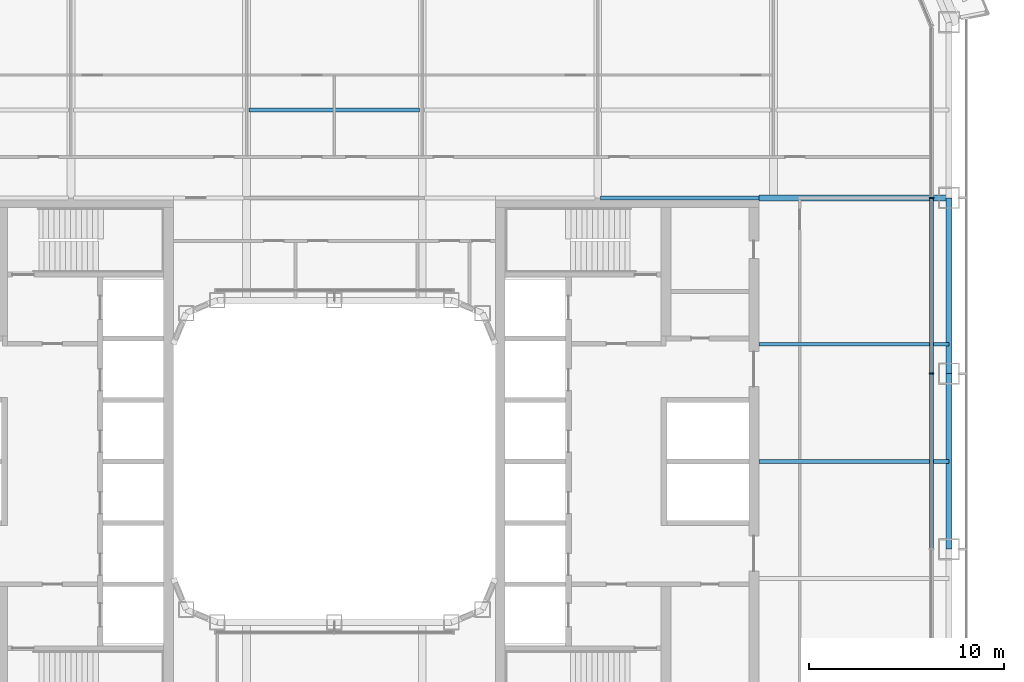
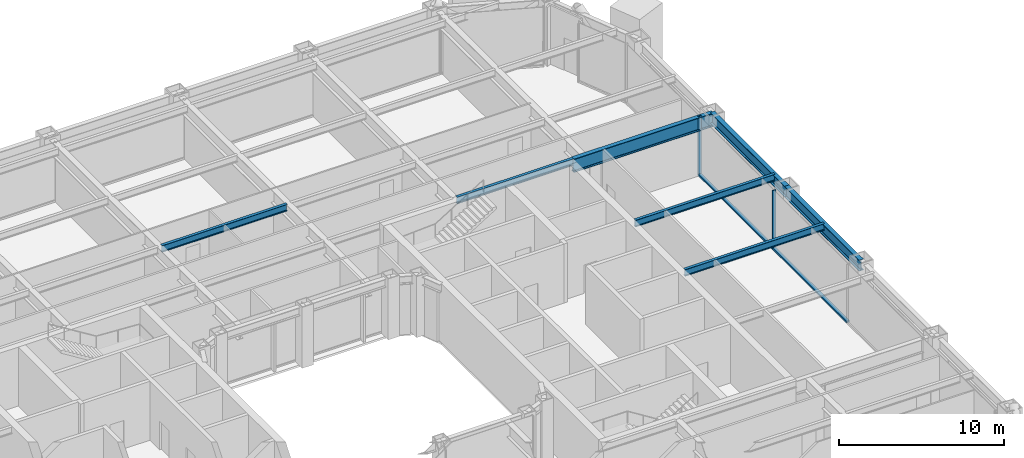
# One storey, part 9 of 30: 7 beams, 4 members, 1 element without a shape of its own.
"""IFC4 building model written with IfcOpenShell, lengths in metres."""

from ifc_helpers import new_model, si_unit, direction, frame, origin, origin_2d, place, context, subcontext, project, spatial, rectangle, i_section, extrude, material, layer, layer_set, material_profile, profile_set, type_object, element, aggregate, save


model = new_model("IFC4")

# Units and contexts
model_context = context("Model", 3, precision=1e-05, world=origin(), true_north=direction((0.0, 1.0)))
body_context = subcontext(model_context, "Body", "Model", "MODEL_VIEW")
ifc_project = project(units=[si_unit("LENGTHUNIT", "METRE"), si_unit("AREAUNIT", "SQUARE_METRE"), si_unit("VOLUMEUNIT", "CUBIC_METRE"), si_unit("PLANEANGLEUNIT", "RADIAN"), si_unit("MASSUNIT", "GRAM", prefix="KILO")], contexts=[model_context])

# Site, building, storey
site_placement = place(None, origin())
site = spatial("IfcSite", under=ifc_project, at=site_placement, CompositionType="ELEMENT")
building_placement = place(site_placement, origin())
building = spatial("IfcBuilding", under=site, at=building_placement, Name="Siwar Civic Tower", CompositionType="ELEMENT")
storey_placement = place(building_placement, frame((0.0, 0.0, 26.699951171875)))
storey = spatial("IfcBuildingStorey", under=building, at=storey_placement, Name="L05", CompositionType="ELEMENT", Elevation=26.699951171875)

# Curtain wall, members
ifc_material_1 = material(Name="Aluminium and glass", Category="aluminium")
ifc_layer = layer(ifc_material_1, 0.219970703125)
ifc_layer_set = layer_set([ifc_layer], Name="Aluminium and glass")
curtain_wall_type = type_object("IfcCurtainWallType", Name="ENV-CW-A", PredefinedType="NOTDEFINED", material=ifc_layer_set)
curtain_wall_placement = place(storey_placement, origin())
curtain_wall = element("IfcCurtainWall", 1, at=curtain_wall_placement, inside=storey, type_object=curtain_wall_type, Name="Curtain wall A E", PredefinedType="NOTDEFINED")
ifc_material_2 = material(Name="Aluminium 6063-T6", Category="aluminium")
ifc_material_profile_1 = material_profile(ifc_material_2, rectangle(XDim=0.219970703125, YDim=0.070068359375, at=origin_2d()), Name="AL 220x70")
ifc_profile_set_1 = profile_set([ifc_material_profile_1], Name="Aluminium 6063-T6")
member_type_1 = type_object("IfcMemberType", Name="ENV-MULLION-A", PredefinedType="MULLION", material=ifc_profile_set_1)
member_1_placement = place(storey_placement, frame((30.60009765625, 4.5, 0.0), z_axis=(0.0, 0.0, 1.0), x_axis=(-1.0, 0.0, 0.0)))
member_1 = element("IfcMember", 2, at=member_1_placement, type_object=member_type_1, Name="Mullion A E 4", PredefinedType="MULLION", context=body_context, shape_type="SweptSolid", body=[
    extrude(rectangle(XDim=0.219970703125, YDim=0.070068359375, at=origin_2d()), origin(), (0.0, 0.0, 1.0), 4.35009765625),
])
member_2_placement = place(storey_placement, frame((30.60009765625, 13.5, 0.0), z_axis=(0.0, 0.0, 1.0), x_axis=(-1.0, 0.0, 0.0)))
member_2 = element("IfcMember", 3, at=member_2_placement, type_object=member_type_1, Name="Mullion A E 5", PredefinedType="MULLION", context=body_context, shape_type="SweptSolid", body=[
    extrude(rectangle(XDim=0.219970703125, YDim=0.070068359375, at=origin_2d()), origin(), (0.0, 0.0, 1.0), 4.35009765625),
])
ifc_material_3 = material(Name="Aluminium 6063-T6", Category="aluminium")
ifc_material_profile_2 = material_profile(ifc_material_3, rectangle(XDim=0.219970703125, YDim=0.1201171875, at=origin_2d()), Name="AL 220x120")
ifc_profile_set_2 = profile_set([ifc_material_profile_2], Name="Aluminium 6063-T6")
member_type_2 = type_object("IfcMemberType", Name="ENV-TRANSOM-A", PredefinedType="USERDEFINED", material=ifc_profile_set_2)
member_3_placement = place(storey_placement, frame((30.60009765625, -4.465087890625, 0.06005859375), z_axis=(0.0, 1.0, 0.0), x_axis=(-1.0, 0.0, 0.0)))
member_3 = element("IfcMember", 4, at=member_3_placement, type_object=member_type_2, Name="Transom A E 3", ObjectType="TRANSOM", PredefinedType="USERDEFINED", context=body_context, shape_type="SweptSolid", body=[
    extrude(rectangle(XDim=0.219970703125, YDim=0.1201171875, at=origin_2d()), origin(), (0.0, 0.0, 1.0), 8.93017578125),
])
member_4_placement = place(storey_placement, frame((30.60009765625, 4.534912109375, 0.06005859375), z_axis=(0.0, 1.0, 0.0), x_axis=(-1.0, 0.0, 0.0)))
member_4 = element("IfcMember", 5, at=member_4_placement, type_object=member_type_2, Name="Transom A E 4", ObjectType="TRANSOM", PredefinedType="USERDEFINED", context=body_context, shape_type="SweptSolid", body=[
    extrude(rectangle(XDim=0.219970703125, YDim=0.1201171875, at=origin_2d()), origin(), (0.0, 0.0, 1.0), 8.93017578125),
])
aggregate(curtain_wall, [member_1, member_2, member_3, member_4])

# Beams
ifc_material_4 = material(Name="Steel S355", Category="steel")
ifc_material_profile_3 = material_profile(ifc_material_4, i_section(OverallWidth=0.199951171875, OverallDepth=0.5, WebThickness=0.01025390625, FlangeThickness=0.01611328125, FilletRadius=0.02099609375, at=origin_2d()), Name="IPE500")
ifc_profile_set_3 = profile_set([ifc_material_profile_3], Name="Steel S355")
beam_type_1 = type_object("IfcBeamType", Name="STR-FB-IPE500", PredefinedType="JOIST", material=ifc_profile_set_3)
for number, where, z_axis, x_axis, name in (
    (6, (21.75, 0.0, 4.10009765625), (1.0, 0.0, 0.0), (0.0, 1.0, 0.0), "L05/bm/F034"),
    (7, (21.75, 6.0, 4.10009765625), (1.0, 0.0, 0.0), (0.0, 1.0, 0.0), "L05/bm/F036"),
):
    element("IfcBeam", number, at=place(storey_placement, frame(where, z_axis=z_axis, x_axis=x_axis)), inside=storey, type_object=beam_type_1, Name=name, PredefinedType="JOIST", context=body_context, shape_type="SweptSolid", body=[
        extrude(i_section(OverallWidth=0.199951171875, OverallDepth=0.5, WebThickness=0.01025390625, FlangeThickness=0.01611328125, FilletRadius=0.02099609375, at=origin_2d()), origin(), (0.0, 0.0, 1.0), 9.75),
    ])
beam_1_placement = place(storey_placement, frame((13.6298828125, 13.5, 4.10009765625), z_axis=(1.0, 0.0, 0.0), x_axis=(0.0, 1.0, 0.0)))
element("IfcBeam", 8, at=beam_1_placement, inside=storey, type_object=beam_type_1, Name="L05/bm/F044", PredefinedType="JOIST", context=body_context, shape_type="SweptSolid", body=[
    extrude(i_section(OverallWidth=0.199951171875, OverallDepth=0.5, WebThickness=0.01025390625, FlangeThickness=0.01611328125, FilletRadius=0.02099609375, at=origin_2d()), origin(), (0.0, 0.0, 1.0), 8.1201171875),
])
beam_2_placement = place(storey_placement, frame((-4.3701171875, 18.0, 4.10009765625), z_axis=(1.0, 0.0, 0.0), x_axis=(0.0, 1.0, 0.0)))
element("IfcBeam", 9, at=beam_2_placement, inside=storey, type_object=beam_type_1, Name="L05/bm/F049", PredefinedType="JOIST", context=body_context, shape_type="SweptSolid", body=[
    extrude(i_section(OverallWidth=0.199951171875, OverallDepth=0.5, WebThickness=0.01025390625, FlangeThickness=0.01611328125, FilletRadius=0.02099609375, at=origin_2d()), origin(), (0.0, 0.0, 1.0), 8.740234375),
])
ifc_material_5 = material(Name="Steel S355", Category="steel")
ifc_material_profile_4 = material_profile(ifc_material_5, i_section(OverallWidth=0.300048828125, OverallDepth=1.0, WebThickness=0.01904296875, FlangeThickness=0.035888671875, FilletRadius=0.030029296875, at=origin_2d()), Name="HEB1000")
ifc_profile_set_4 = profile_set([ifc_material_profile_4], Name="Steel S355")
beam_type_2 = type_object("IfcBeamType", Name="STR-PG-HEB1000", PredefinedType="BEAM", material=ifc_profile_set_4)
beam_3_placement = place(storey_placement, frame((21.75, 13.5, 3.85009765625), z_axis=(1.0, 0.0, 0.0), x_axis=(0.0, 1.0, 0.0)))
element("IfcBeam", 10, at=beam_3_placement, inside=storey, type_object=beam_type_2, Name="L05/bm/F045", PredefinedType="BEAM", context=body_context, shape_type="SweptSolid", body=[
    extrude(i_section(OverallWidth=0.300048828125, OverallDepth=1.0, WebThickness=0.01904296875, FlangeThickness=0.035888671875, FilletRadius=0.030029296875, at=origin_2d()), origin(), (0.0, 0.0, 1.0), 9.75),
])
ifc_material_6 = material(Name="Steel S355", Category="steel")
ifc_material_profile_5 = material_profile(ifc_material_6, i_section(OverallWidth=0.302978515625, OverallDepth=0.81396484375, WebThickness=0.02099609375, FlangeThickness=0.0400390625, FilletRadius=0.030029296875, at=origin_2d()), Name="HEM800")
ifc_profile_set_5 = profile_set([ifc_material_profile_5], Name="Steel S355")
beam_type_3 = type_object("IfcBeamType", Name="STR-SB-HEM800", PredefinedType="BEAM", material=ifc_profile_set_5)
for number, where, z_axis, x_axis, name in (
    (11, (31.5, -4.5, 3.943115234375), (0.0, 1.0, 0.0), (-1.0, 0.0, 0.0), "L05/bm/SE-2"),
    (12, (31.5, 4.5, 3.943115234375), (0.0, 1.0, 0.0), (-1.0, 0.0, 0.0), "L05/bm/SE-3"),
):
    element("IfcBeam", number, at=place(storey_placement, frame(where, z_axis=z_axis, x_axis=x_axis)), inside=storey, type_object=beam_type_3, Name=name, PredefinedType="BEAM", context=body_context, shape_type="SweptSolid", body=[
        extrude(i_section(OverallWidth=0.302978515625, OverallDepth=0.81396484375, WebThickness=0.02099609375, FlangeThickness=0.0400390625, FilletRadius=0.030029296875, at=origin_2d()), origin(), (0.0, 0.0, 1.0), 9.0),
    ])

save(model, "model.ifc")
